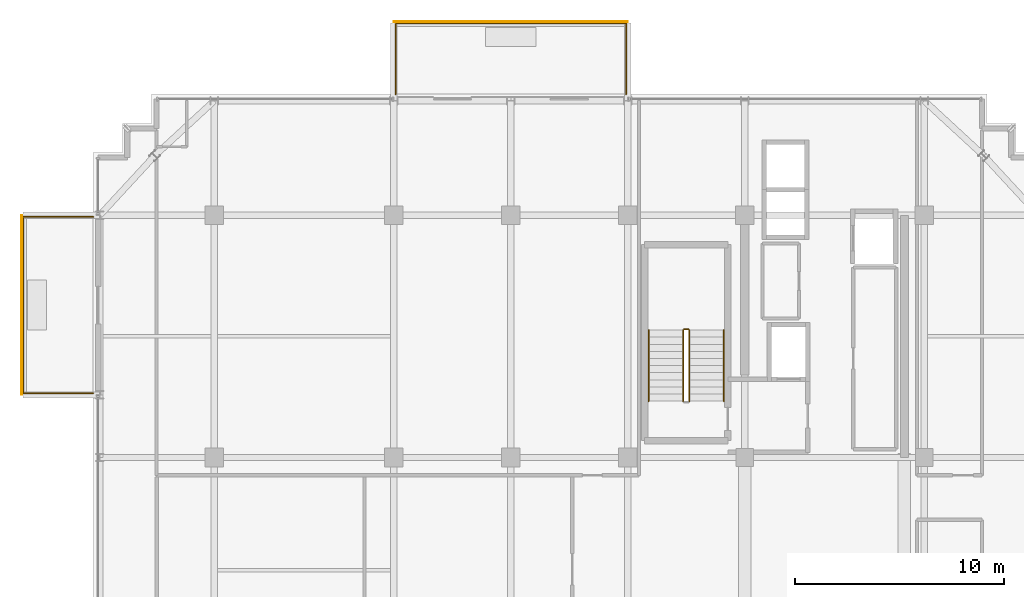
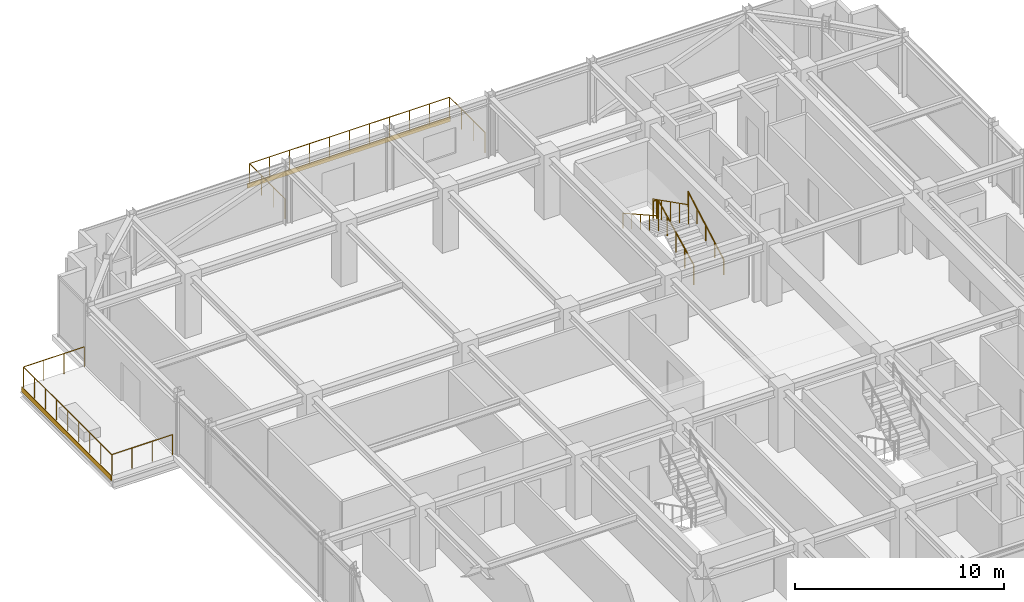
# One storey, part 35 of 36: 7 railings, 2 coverings.
"""IFC4 building model written with IfcOpenShell, lengths in metres."""

from ifc_helpers import new_model, si_unit, direction, frame, origin, origin_2d, place, context, subcontext, project, spatial, rectangle, circle, extrude, source, transform, mapped, material, layer, layer_set, type_object, element, save


model = new_model("IFC4")

# Units and contexts
model_context = context("Model", 3, precision=1e-05, world=origin(), true_north=direction((0.0, 1.0)))
body_context = subcontext(model_context, "Body", "Model", "MODEL_VIEW")
ifc_project = project(units=[si_unit("LENGTHUNIT", "METRE"), si_unit("AREAUNIT", "SQUARE_METRE"), si_unit("VOLUMEUNIT", "CUBIC_METRE"), si_unit("PLANEANGLEUNIT", "RADIAN"), si_unit("MASSUNIT", "GRAM", prefix="KILO")], contexts=[model_context])

# Site, building, storey
site_placement = place(None, origin())
site = spatial("IfcSite", under=ifc_project, at=site_placement, CompositionType="ELEMENT")
building_placement = place(site_placement, origin())
building = spatial("IfcBuilding", under=site, at=building_placement, Name="Nahalor Promenade Grand Hotel", CompositionType="ELEMENT")
storey_placement = place(building_placement, frame((0.0, 0.0, 319.550048828125)))
storey = spatial("IfcBuildingStorey", under=building, at=storey_placement, Name="L82", CompositionType="ELEMENT", Elevation=319.550048828125)

# Railings
ifc_material_1 = material(Name="Anodised Bronze Aluminium EN AW-6063 T6", Category="aluminium")
railing_type_1 = type_object("IfcRailingType", Name="Bronze Balcony Guardrail 1200 mm", PredefinedType="GUARDRAIL", material=ifc_material_1)
railing_1_placement = place(storey_placement, frame((-8.320068359375, 22.800048828125, 0.0)))
element("IfcRailing", 1, at=railing_1_placement, inside=storey, type_object=railing_type_1, Name="L82 Balcony Guardrail 1", PredefinedType="GUARDRAIL", context=body_context, shape_type="SweptSolid", body=[
    extrude(circle(Radius=0.024048, at=origin_2d()), frame((0.0, 0.0, 1.17578125), z_axis=(0.0, 1.0, 0.0), x_axis=(-1.0, 0.0, 0.0)), (0.0, 0.0, 1.0), 3.39794921875),
    extrude(circle(Radius=0.024048, at=origin_2d()), frame((0.001953125, 3.39990234375, 1.17578125), z_axis=(1.0, 0.0, 0.0), x_axis=(0.0, 1.0, 0.0)), (0.0, 0.0, 1.0), 11.0361328125),
    extrude(circle(Radius=0.024048, at=origin_2d()), frame((11.0400390625, 3.39794921875, 1.17578125), z_axis=(0.0, -1.0, 0.0), x_axis=(1.0, 0.0, 0.0)), (0.0, 0.0, 1.0), 3.39794921875),
    extrude(circle(Radius=0.020996, at=origin_2d()), origin(), (0.0, 0.0, 1.0), 1.14990234375),
    extrude(circle(Radius=0.020996, at=origin_2d()), frame((0.0, 1.13330078125, 0.0)), (0.0, 0.0, 1.0), 1.14990234375),
    extrude(circle(Radius=0.020996, at=origin_2d()), frame((0.0, 2.2666015625, 0.0)), (0.0, 0.0, 1.0), 1.14990234375),
    extrude(circle(Radius=0.020996, at=origin_2d()), frame((0.0, 3.39990234375, 0.0)), (0.0, 0.0, 1.0), 1.14990234375),
    extrude(circle(Radius=0.020996, at=origin_2d()), frame((1.10400390625, 3.39990234375, 0.0)), (0.0, 0.0, 1.0), 1.14990234375),
    extrude(circle(Radius=0.020996, at=origin_2d()), frame((2.2080078125, 3.39990234375, 0.0)), (0.0, 0.0, 1.0), 1.14990234375),
    extrude(circle(Radius=0.020996, at=origin_2d()), frame((3.31201171875, 3.39990234375, 0.0)), (0.0, 0.0, 1.0), 1.14990234375),
    extrude(circle(Radius=0.020996, at=origin_2d()), frame((4.416015625, 3.39990234375, 0.0)), (0.0, 0.0, 1.0), 1.14990234375),
    extrude(circle(Radius=0.020996, at=origin_2d()), frame((5.52001953125, 3.39990234375, 0.0)), (0.0, 0.0, 1.0), 1.14990234375),
    extrude(circle(Radius=0.020996, at=origin_2d()), frame((6.6240234375, 3.39990234375, 0.0)), (0.0, 0.0, 1.0), 1.14990234375),
    extrude(circle(Radius=0.020996, at=origin_2d()), frame((7.72802734375, 3.39990234375, 0.0)), (0.0, 0.0, 1.0), 1.14990234375),
    extrude(circle(Radius=0.020996, at=origin_2d()), frame((8.83203125, 3.39990234375, 0.0)), (0.0, 0.0, 1.0), 1.14990234375),
    extrude(circle(Radius=0.020996, at=origin_2d()), frame((9.93603515625, 3.39990234375, 0.0)), (0.0, 0.0, 1.0), 1.14990234375),
    extrude(circle(Radius=0.020996, at=origin_2d()), frame((11.0400390625, 3.39990234375, 0.0)), (0.0, 0.0, 1.0), 1.14990234375),
    extrude(circle(Radius=0.020996, at=origin_2d()), frame((11.0400390625, 2.2666015625, 0.0)), (0.0, 0.0, 1.0), 1.14990234375),
    extrude(circle(Radius=0.020996, at=origin_2d()), frame((11.0400390625, 1.13330078125, 0.0)), (0.0, 0.0, 1.0), 1.14990234375),
    extrude(circle(Radius=0.020996, at=origin_2d()), frame((11.0400390625, 0.0, 0.0)), (0.0, 0.0, 1.0), 1.14990234375),
])
railing_2_placement = place(storey_placement, frame((-22.800048828125, 8.47998046875, 0.0)))
element("IfcRailing", 2, at=railing_2_placement, inside=storey, type_object=railing_type_1, Name="L82 Balcony Guardrail 2", PredefinedType="GUARDRAIL", context=body_context, shape_type="SweptSolid", body=[
    extrude(circle(Radius=0.024048, at=origin_2d()), frame((0.0, 0.0, 1.17578125), z_axis=(-1.0, 0.0, 0.0), x_axis=(0.0, -1.0, 0.0)), (0.0, 0.0, 1.0), 3.347900390625),
    extrude(circle(Radius=0.024048, at=origin_2d()), frame((-3.349853515625, 0.001953125, 1.17578125), z_axis=(0.0, 1.0, 0.0), x_axis=(-1.0, 0.0, 0.0)), (0.0, 0.0, 1.0), 8.43603515625),
    extrude(circle(Radius=0.024048, at=origin_2d()), frame((-3.347900390625, 8.43994140625, 1.17578125), z_axis=(1.0, 0.0, 0.0), x_axis=(0.0, 1.0, 0.0)), (0.0, 0.0, 1.0), 3.347900390625),
    extrude(circle(Radius=0.020996, at=origin_2d()), origin(), (0.0, 0.0, 1.0), 1.14990234375),
    extrude(circle(Radius=0.020996, at=origin_2d()), frame((-1.11669921875, 0.0, 0.0)), (0.0, 0.0, 1.0), 1.14990234375),
    extrude(circle(Radius=0.020996, at=origin_2d()), frame((-2.233154296875, 0.0, 0.0)), (0.0, 0.0, 1.0), 1.14990234375),
    extrude(circle(Radius=0.020996, at=origin_2d()), frame((-3.349853515625, 0.0, 0.0)), (0.0, 0.0, 1.0), 1.14990234375),
    extrude(circle(Radius=0.020996, at=origin_2d()), frame((-3.349853515625, 1.054931640625, 0.0)), (0.0, 0.0, 1.0), 1.14990234375),
    extrude(circle(Radius=0.020996, at=origin_2d()), frame((-3.349853515625, 2.10986328125, 0.0)), (0.0, 0.0, 1.0), 1.14990234375),
    extrude(circle(Radius=0.020996, at=origin_2d()), frame((-3.349853515625, 3.1650390625, 0.0)), (0.0, 0.0, 1.0), 1.14990234375),
    extrude(circle(Radius=0.020996, at=origin_2d()), frame((-3.349853515625, 4.219970703125, 0.0)), (0.0, 0.0, 1.0), 1.14990234375),
    extrude(circle(Radius=0.020996, at=origin_2d()), frame((-3.349853515625, 5.27490234375, 0.0)), (0.0, 0.0, 1.0), 1.14990234375),
    extrude(circle(Radius=0.020996, at=origin_2d()), frame((-3.349853515625, 6.330078125, 0.0)), (0.0, 0.0, 1.0), 1.14990234375),
    extrude(circle(Radius=0.020996, at=origin_2d()), frame((-3.349853515625, 7.385009765625, 0.0)), (0.0, 0.0, 1.0), 1.14990234375),
    extrude(circle(Radius=0.020996, at=origin_2d()), frame((-3.349853515625, 8.43994140625, 0.0)), (0.0, 0.0, 1.0), 1.14990234375),
    extrude(circle(Radius=0.020996, at=origin_2d()), frame((-2.233154296875, 8.43994140625, 0.0)), (0.0, 0.0, 1.0), 1.14990234375),
    extrude(circle(Radius=0.020996, at=origin_2d()), frame((-1.11669921875, 8.43994140625, 0.0)), (0.0, 0.0, 1.0), 1.14990234375),
    extrude(circle(Radius=0.020996, at=origin_2d()), frame((0.0, 8.43994140625, 0.0)), (0.0, 0.0, 1.0), 1.14990234375),
])
ifc_material_2 = material(Name="Steel S355JR", Category="steel")
railing_type_2 = type_object("IfcRailingType", Name="Steel Stair Guardrail 1150 mm", PredefinedType="GUARDRAIL", material=ifc_material_2)
railing_3_placement = place(storey_placement, frame((5.75, 8.10009765625, 0.172607421875)))
element("IfcRailing", 3, at=railing_3_placement, inside=storey, type_object=railing_type_2, Name="L82 ST1 stair guard 1", PredefinedType="GUARDRAIL", context=body_context, shape_type="SweptSolid", body=[
    extrude(circle(Radius=0.024048, at=origin_2d()), frame((0.0, 0.0, 1.1259765625), z_axis=(0.0, 0.89154070688, 0.452940578858), x_axis=(-1.0, 0.0, 0.0)), (0.0, 0.0, 1.0), 3.8134765625),
    extrude(circle(Radius=0.020996, at=origin_2d()), origin(), (0.0, 0.0, 1.0), 1.099853515625),
    extrude(circle(Radius=0.020996, at=origin_2d()), frame((0.0, 0.85009765625, 0.431884765625)), (0.0, 0.0, 1.0), 1.099853515625),
    extrude(circle(Radius=0.020996, at=origin_2d()), frame((0.0, 1.699951171875, 0.86376953125)), (0.0, 0.0, 1.0), 1.099853515625),
    extrude(circle(Radius=0.020996, at=origin_2d()), frame((0.0, 2.5498046875, 1.29541015625)), (0.0, 0.0, 1.0), 1.099853515625),
    extrude(circle(Radius=0.020996, at=origin_2d()), frame((0.0, 3.39990234375, 1.727294921875)), (0.0, 0.0, 1.0), 1.099853515625),
])
railing_4_placement = place(storey_placement, frame((5.699951171875, 11.550048828125, 1.89990234375)))
element("IfcRailing", 4, at=railing_4_placement, inside=storey, type_object=railing_type_2, Name="L82 ST1 stair guard 2", PredefinedType="GUARDRAIL", context=body_context, shape_type="SweptSolid", body=[
    extrude(circle(Radius=0.024048, at=origin_2d()), frame((0.0, 0.0, 1.1259765625), z_axis=(-1.0, 0.0, 0.0), x_axis=(0.0, -1.0, 0.0)), (0.0, 0.0, 1.0), 0.199951171875),
    extrude(circle(Radius=0.020996, at=origin_2d()), origin(), (0.0, 0.0, 1.0), 1.099853515625),
    extrude(circle(Radius=0.020996, at=origin_2d()), frame((-0.199951171875, 0.0, 0.0)), (0.0, 0.0, 1.0), 1.099853515625),
])
railing_5_placement = place(storey_placement, frame((5.449951171875, 11.5, 2.07275390625)))
element("IfcRailing", 5, at=railing_5_placement, inside=storey, type_object=railing_type_2, Name="L82 ST1 stair guard 3", PredefinedType="GUARDRAIL", context=body_context, shape_type="SweptSolid", body=[
    extrude(circle(Radius=0.024048, at=origin_2d()), frame((0.0, 0.0, 1.1259765625), z_axis=(0.0, -0.89154070688, 0.452940578858), x_axis=(1.0, 0.0, 0.0)), (0.0, 0.0, 1.0), 3.8134765625),
    extrude(circle(Radius=0.020996, at=origin_2d()), origin(), (0.0, 0.0, 1.0), 1.099853515625),
    extrude(circle(Radius=0.020996, at=origin_2d()), frame((0.0, -0.85009765625, 0.431884765625)), (0.0, 0.0, 1.0), 1.099853515625),
    extrude(circle(Radius=0.020996, at=origin_2d()), frame((0.0, -1.699951171875, 0.86376953125)), (0.0, 0.0, 1.0), 1.099853515625),
    extrude(circle(Radius=0.020996, at=origin_2d()), frame((0.0, -2.5498046875, 1.29541015625)), (0.0, 0.0, 1.0), 1.099853515625),
    extrude(circle(Radius=0.020996, at=origin_2d()), frame((0.0, -3.39990234375, 1.727294921875)), (0.0, 0.0, 1.0), 1.099853515625),
])
railing_type_3 = type_object("IfcRailingType", Name="Steel Stair Handrail 900 mm", PredefinedType="HANDRAIL", material=ifc_material_2)
railing_6_placement = place(storey_placement, frame((7.39990234375, 8.10009765625, 0.172607421875)))
element("IfcRailing", 6, at=railing_6_placement, inside=storey, type_object=railing_type_3, Name="L82 ST1 stair handrail 1", PredefinedType="HANDRAIL", context=body_context, shape_type="SweptSolid", body=[
    extrude(circle(Radius=0.024048, at=origin_2d()), frame((0.0, 0.0, 0.8759765625), z_axis=(0.0, 0.872921498864, 0.487860694073), x_axis=(-1.0, 0.0, 0.0)), (0.0, 0.0, 1.0), 3.894775390625),
    extrude(circle(Radius=0.020996, at=origin_2d()), origin(), (0.0, 0.0, 1.0), 0.849853515625),
    extrude(circle(Radius=0.020996, at=origin_2d()), frame((0.0, 0.85009765625, 0.47509765625)), (0.0, 0.0, 1.0), 0.849853515625),
    extrude(circle(Radius=0.020996, at=origin_2d()), frame((0.0, 1.699951171875, 0.9501953125)), (0.0, 0.0, 1.0), 0.849853515625),
    extrude(circle(Radius=0.020996, at=origin_2d()), frame((0.0, 2.5498046875, 1.425048828125)), (0.0, 0.0, 1.0), 0.849853515625),
    extrude(circle(Radius=0.020996, at=origin_2d()), frame((0.0, 3.39990234375, 1.900146484375)), (0.0, 0.0, 1.0), 0.849853515625),
])
railing_7_placement = place(storey_placement, frame((3.800048828125, 11.5, 2.07275390625)))
element("IfcRailing", 7, at=railing_7_placement, inside=storey, type_object=railing_type_3, Name="L82 ST1 stair handrail 2", PredefinedType="HANDRAIL", context=body_context, shape_type="SweptSolid", body=[
    extrude(circle(Radius=0.024048, at=origin_2d()), frame((0.0, 0.0, 0.8759765625), z_axis=(0.0, -0.872948192752, 0.487812928048), x_axis=(1.0, 0.0, 0.0)), (0.0, 0.0, 1.0), 3.894775390625),
    extrude(circle(Radius=0.020996, at=origin_2d()), origin(), (0.0, 0.0, 1.0), 0.849853515625),
    extrude(circle(Radius=0.020996, at=origin_2d()), frame((0.0, -0.85009765625, 0.47509765625)), (0.0, 0.0, 1.0), 0.849853515625),
    extrude(circle(Radius=0.020996, at=origin_2d()), frame((0.0, -1.699951171875, 0.949951171875)), (0.0, 0.0, 1.0), 0.849853515625),
    extrude(circle(Radius=0.020996, at=origin_2d()), frame((0.0, -2.5498046875, 1.4248046875)), (0.0, 0.0, 1.0), 0.849853515625),
    extrude(circle(Radius=0.020996, at=origin_2d()), frame((0.0, -3.39990234375, 1.89990234375)), (0.0, 0.0, 1.0), 0.849853515625),
])

# Coverings
ifc_layer = layer(ifc_material_1, 0.0400390625)
ifc_layer_set = layer_set([ifc_layer], Name="Anodised Bronze Aluminium EN AW-6063 T6")
covering_type = type_object("IfcCoveringType", Name="Bronze Spandrel Cladding Panel", PredefinedType="CLADDING", material=ifc_layer_set)
shared_shape_1 = source(origin(), body_context, "Body", "SweptSolid", [
    extrude(rectangle(XDim=11.199951171875, YDim=0.0400390625, at=origin_2d()), origin(), (0.0, 0.0, 1.0), 0.280029296875),
])
covering_1_placement = place(storey_placement, frame((-2.800048828125, 26.260009765625, -0.2802734375), z_axis=(0.0, 0.0, 1.0), x_axis=(1.0, 0.0, 0.0)))
element("IfcCovering", 8, at=covering_1_placement, inside=storey, type_object=covering_type, Name="CL-L82-BALC-01", PredefinedType="CLADDING", context=body_context, shape_type="MappedRepresentation", body=[
    mapped(shared_shape_1, transform((0.0, 0.0, 0.0), scale=1.0)),
])
shared_shape_2 = source(origin(), body_context, "Body", "SweptSolid", [
    extrude(rectangle(XDim=8.60009765625, YDim=0.0400390625, at=origin_2d()), origin(), (0.0, 0.0, 1.0), 0.280029296875),
])
covering_2_placement = place(storey_placement, frame((-26.2099609375, 12.699951171875, -0.2802734375), z_axis=(0.0, 0.0, 1.0), x_axis=(0.0, 1.0, 0.0)))
element("IfcCovering", 9, at=covering_2_placement, inside=storey, type_object=covering_type, Name="CL-L82-BALC-02", PredefinedType="CLADDING", context=body_context, shape_type="MappedRepresentation", body=[
    mapped(shared_shape_2, transform((0.0, 0.0, 0.0), scale=1.0)),
])

save(model, "model.ifc")
